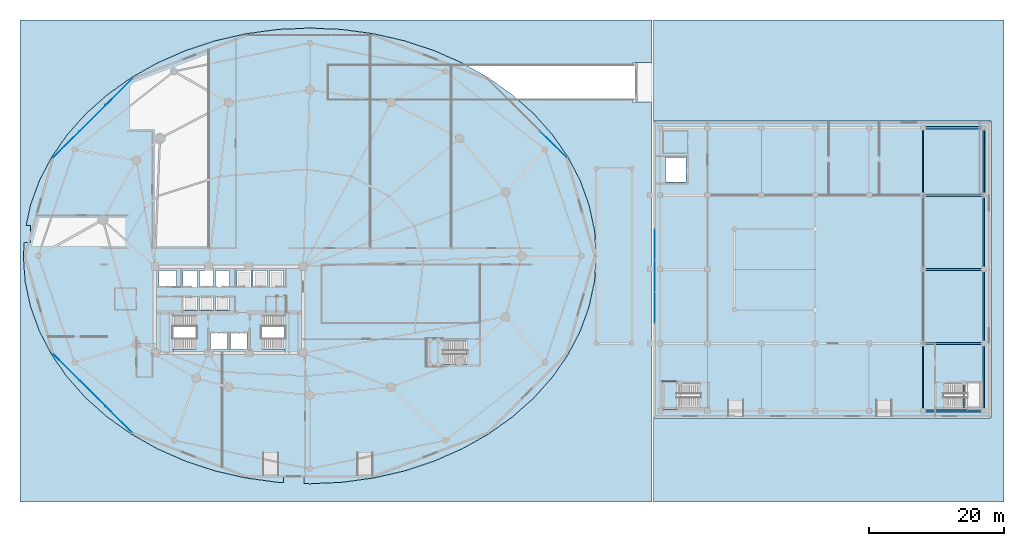
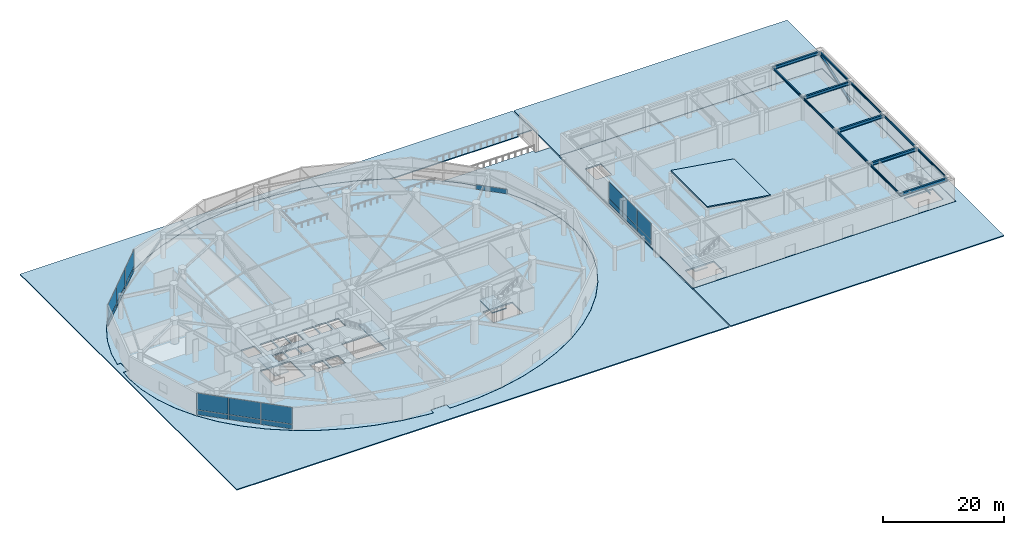
# One storey, part 19 of 35: 19 plates, 14 beams, 9 slabs, 1 member, 8 elements without a shape of their own.
"""IFC4 building model written with IfcOpenShell, lengths in metres."""

from ifc_helpers import new_model, si_unit, direction, frame, origin, origin_2d, place, context, subcontext, project, spatial, polyline, rectangle, hollow_rectangle, i_section, outline, extrude, material, layer, layer_set, material_profile, profile_set, type_object, element, aggregate, save


model = new_model("IFC4")

# Units and contexts
model_context = context("Model", 3, precision=1e-05, world=origin(), true_north=direction((0.0, 1.0)))
body_context = subcontext(model_context, "Body", "Model", "MODEL_VIEW")
ifc_project = project(units=[si_unit("LENGTHUNIT", "METRE"), si_unit("AREAUNIT", "SQUARE_METRE"), si_unit("VOLUMEUNIT", "CUBIC_METRE"), si_unit("PLANEANGLEUNIT", "RADIAN"), si_unit("MASSUNIT", "GRAM", prefix="KILO")], contexts=[model_context])

# Site, building, storey
site_placement = place(None, origin())
site = spatial("IfcSite", under=ifc_project, at=site_placement, CompositionType="ELEMENT")
building_placement = place(site_placement, origin())
building = spatial("IfcBuilding", under=site, at=building_placement, Name="Kazevale Care Tower and Concert Hall", CompositionType="ELEMENT")
storey_placement = place(building_placement, origin())
storey = spatial("IfcBuildingStorey", under=building, at=storey_placement, Name="L00", CompositionType="ELEMENT", Elevation=0.0)

# Beams
ifc_material_1 = material(Name="Steel ASTM A572 Gr 50", Category="steel")
ifc_material_profile_1 = material_profile(ifc_material_1, i_section(OverallWidth=0.323974609375, OverallDepth=0.611083984375, WebThickness=0.0126953125, FlangeThickness=0.01904296875, at=origin_2d()), Name="W610x155")
ifc_profile_set_1 = profile_set([ifc_material_profile_1], Name="Steel ASTM A572 Gr 50")
beam_type_1 = type_object("IfcBeamType", Name="Concert Hall Frame Girder W610x155", PredefinedType="BEAM", material=ifc_profile_set_1)
for number, where, z_axis, x_axis, name in (
    (1, (136.0, 15.0, 4.214599609375), (1.0, 0.0, 0.0), (0.0, 1.0, 0.0), "beam:L00:hx:136_15"),
    (2, (136.0, 25.0, 4.214599609375), (1.0, 0.0, 0.0), (0.0, 1.0, 0.0), "beam:L00:hx:136_25"),
    (3, (136.0, 36.0, 4.214599609375), (1.0, 0.0, 0.0), (0.0, 1.0, 0.0), "beam:L00:hx:136_36"),
    (4, (136.0, 47.0, 4.214599609375), (1.0, 0.0, 0.0), (0.0, 1.0, 0.0), "beam:L00:hx:136_47"),
    (5, (136.0, 57.0, 4.214599609375), (1.0, 0.0, 0.0), (0.0, 1.0, 0.0), "beam:L00:hx:136_57"),
):
    element("IfcBeam", number, at=place(storey_placement, frame(where, z_axis=z_axis, x_axis=x_axis)), inside=storey, type_object=beam_type_1, Name=name, PredefinedType="BEAM", context=body_context, shape_type="SweptSolid", body=[
        extrude(i_section(OverallWidth=0.323974609375, OverallDepth=0.611083984375, WebThickness=0.0126953125, FlangeThickness=0.01904296875, at=origin_2d()), origin(), (0.0, 0.0, 1.0), 9.0),
    ])
ifc_material_profile_2 = material_profile(ifc_material_1, i_section(OverallWidth=0.180908203125, OverallDepth=0.4169921875, WebThickness=0.010986328125, FlangeThickness=0.018310546875, at=origin_2d()), Name="W410x85")
ifc_profile_set_2 = profile_set([ifc_material_profile_2], Name="Steel ASTM A572 Gr 50")
beam_type_2 = type_object("IfcBeamType", Name="Concert Hall Secondary Beam W410x85", PredefinedType="BEAM", material=ifc_profile_set_2)
beam_1_placement = place(storey_placement, frame((136.0, 15.0, 4.3115234375), z_axis=(0.0, 1.0, 0.0), x_axis=(-1.0, 0.0, 0.0)))
element("IfcBeam", 6, at=beam_1_placement, inside=storey, type_object=beam_type_2, Name="beam:L00:hy:136_15", PredefinedType="BEAM", context=body_context, shape_type="SweptSolid", body=[
    extrude(i_section(OverallWidth=0.180908203125, OverallDepth=0.4169921875, WebThickness=0.010986328125, FlangeThickness=0.018310546875, at=origin_2d()), origin(), (0.0, 0.0, 1.0), 10.0),
])
for number, where, z_axis, x_axis, name in (
    (7, (136.0, 25.0, 4.3115234375), (0.0, 1.0, 0.0), (-1.0, 0.0, 0.0), "beam:L00:hy:136_25"),
    (8, (136.0, 36.0, 4.3115234375), (0.0, 1.0, 0.0), (-1.0, 0.0, 0.0), "beam:L00:hy:136_36"),
):
    element("IfcBeam", number, at=place(storey_placement, frame(where, z_axis=z_axis, x_axis=x_axis)), inside=storey, type_object=beam_type_2, Name=name, PredefinedType="BEAM", context=body_context, shape_type="SweptSolid", body=[
        extrude(i_section(OverallWidth=0.180908203125, OverallDepth=0.4169921875, WebThickness=0.010986328125, FlangeThickness=0.018310546875, at=origin_2d()), origin(), (0.0, 0.0, 1.0), 11.0),
    ])
for number, where, z_axis, x_axis, name in (
    (9, (136.0, 47.0, 4.3115234375), (0.0, 1.0, 0.0), (-1.0, 0.0, 0.0), "beam:L00:hy:136_47"),
    (10, (145.0, 15.0, 4.3115234375), (0.0, 1.0, 0.0), (-1.0, 0.0, 0.0), "beam:L00:hy:145_15"),
):
    element("IfcBeam", number, at=place(storey_placement, frame(where, z_axis=z_axis, x_axis=x_axis)), inside=storey, type_object=beam_type_2, Name=name, PredefinedType="BEAM", context=body_context, shape_type="SweptSolid", body=[
        extrude(i_section(OverallWidth=0.180908203125, OverallDepth=0.4169921875, WebThickness=0.010986328125, FlangeThickness=0.018310546875, at=origin_2d()), origin(), (0.0, 0.0, 1.0), 10.0),
    ])
for number, where, z_axis, x_axis, name in (
    (11, (145.0, 25.0, 4.3115234375), (0.0, 1.0, 0.0), (-1.0, 0.0, 0.0), "beam:L00:hy:145_25"),
    (12, (145.0, 36.0, 4.3115234375), (0.0, 1.0, 0.0), (-1.0, 0.0, 0.0), "beam:L00:hy:145_36"),
):
    element("IfcBeam", number, at=place(storey_placement, frame(where, z_axis=z_axis, x_axis=x_axis)), inside=storey, type_object=beam_type_2, Name=name, PredefinedType="BEAM", context=body_context, shape_type="SweptSolid", body=[
        extrude(i_section(OverallWidth=0.180908203125, OverallDepth=0.4169921875, WebThickness=0.010986328125, FlangeThickness=0.018310546875, at=origin_2d()), origin(), (0.0, 0.0, 1.0), 11.0),
    ])
beam_2_placement = place(storey_placement, frame((145.0, 47.0, 4.3115234375), z_axis=(0.0, 1.0, 0.0), x_axis=(-1.0, 0.0, 0.0)))
element("IfcBeam", 13, at=beam_2_placement, inside=storey, type_object=beam_type_2, Name="beam:L00:hy:145_47", PredefinedType="BEAM", context=body_context, shape_type="SweptSolid", body=[
    extrude(i_section(OverallWidth=0.180908203125, OverallDepth=0.4169921875, WebThickness=0.010986328125, FlangeThickness=0.018310546875, at=origin_2d()), origin(), (0.0, 0.0, 1.0), 10.0),
])

# Member
ifc_material_profile_3 = material_profile(ifc_material_1, hollow_rectangle(XDim=0.300048828125, YDim=0.300048828125, WallThickness=0.02001953125, at=origin_2d()), Name="SHS300x300x20")
ifc_profile_set_3 = profile_set([ifc_material_profile_3], Name="Steel ASTM A572 Gr 50")
member_type = type_object("IfcMemberType", Name="Concert Hall Wall Brace SHS300x300x20", PredefinedType="BRACE", material=ifc_profile_set_3)
member_placement = place(storey_placement, frame((145.0, 47.0, 0.39990234375), z_axis=(0.0, 0.940283079424, 0.340393493694), x_axis=(-1.0, 0.0, 0.0)))
element("IfcMember", 14, at=member_placement, inside=storey, type_object=member_type, Name="brace:L00:hwW", PredefinedType="BRACE", context=body_context, shape_type="SweptSolid", body=[
    extrude(hollow_rectangle(XDim=0.300048828125, YDim=0.300048828125, WallThickness=0.02001953125, at=origin_2d()), origin(), (0.0, 0.0, 1.0), 10.635009765625),
])

# Beam
ifc_material_profile_4 = material_profile(ifc_material_1, i_section(OverallWidth=0.202880859375, OverallDepth=0.302978515625, WebThickness=0.007568359375, FlangeThickness=0.01318359375, at=origin_2d()), Name="W310x60")
ifc_profile_set_4 = profile_set([ifc_material_profile_4], Name="Steel ASTM A572 Gr 50")
beam_type_3 = type_object("IfcBeamType", Name="Stair & Balcony Trimmer W310x60", PredefinedType="BEAM", material=ifc_profile_set_4)
beam_3_placement = place(storey_placement, frame((142.050048828125, 15.39990234375, 2.048583984375), z_axis=(0.0, 1.0, 0.0), x_axis=(-1.0, 0.0, 0.0)))
element("IfcBeam", 15, at=beam_3_placement, inside=storey, type_object=beam_type_3, Name="beam:L00:ST5:trim:1", PredefinedType="BEAM", context=body_context, shape_type="SweptSolid", body=[
    extrude(i_section(OverallWidth=0.202880859375, OverallDepth=0.302978515625, WebThickness=0.007568359375, FlangeThickness=0.01318359375, at=origin_2d()), origin(), (0.0, 0.0, 1.0), 3.800048828125),
])

# Curtain wall, plate
ifc_material_2 = material(Name="Aluminium 6063-T6 and Low-E Glass", Category="aluminium")
ifc_layer_1 = layer(ifc_material_2, 0.179931640625)
ifc_layer_set_1 = layer_set([ifc_layer_1], Name="Aluminium 6063-T6 and Low-E Glass")
curtain_wall_type_1 = type_object("IfcCurtainWallType", Name="Podium Double-Skin Medical Curtain Wall CW-1", PredefinedType="NOTDEFINED", material=ifc_layer_set_1)
curtain_wall_1_placement = place(storey_placement, origin())
curtain_wall_1 = element("IfcCurtainWall", 16, at=curtain_wall_1_placement, inside=storey, type_object=curtain_wall_type_1, Name="cw:L00:pod:02", PredefinedType="NOTDEFINED")
ifc_material_3 = material(Name="Low-E Laminated Glass", Category="glass")
ifc_layer_2 = layer(ifc_material_3, 0.030029296875)
ifc_layer_set_2 = layer_set([ifc_layer_2], Name="Low-E Laminated Glass")
plate_type_1 = type_object("IfcPlateType", Name="CW-1 Low-E Glazing Panel 30mm", PredefinedType="CURTAIN_PANEL", material=ifc_layer_set_2)
plate_1_placement = place(storey_placement, frame((81.121826171875, 54.533203125, 0.080078125), z_axis=(0.0, 0.0, 1.0), x_axis=(-0.708554776856, 0.705655814257, 0.0)))
plate_1 = element("IfcPlate", 17, at=plate_1_placement, type_object=plate_type_1, Name="CW-1 panel 1.1", PredefinedType="CURTAIN_PANEL", context=body_context, shape_type="SweptSolid", body=[
    extrude(rectangle(XDim=5.38427734375, YDim=0.030029296875, at=origin_2d()), origin(), (0.0, 0.0, 1.0), 0.929931640625),
])
aggregate(curtain_wall_1, [plate_1])

# Curtain wall, plates
curtain_wall_2_placement = place(storey_placement, origin())
curtain_wall_2 = element("IfcCurtainWall", 18, at=curtain_wall_2_placement, inside=storey, type_object=curtain_wall_type_1, Name="cw:L00:pod:06", PredefinedType="NOTDEFINED")
plate_2_placement = place(storey_placement, frame((16.667724609375, 62.290771484375, 0.080078125), z_axis=(0.0, 0.0, 1.0), x_axis=(-0.708554776856, -0.705655814257, 0.0)))
plate_2 = element("IfcPlate", 19, at=plate_2_placement, type_object=plate_type_1, Name="CW-1 panel 1.1", PredefinedType="CURTAIN_PANEL", context=body_context, shape_type="SweptSolid", body=[
    extrude(rectangle(XDim=5.38427734375, YDim=0.030029296875, at=origin_2d()), origin(), (0.0, 0.0, 1.0), 0.929931640625),
])
plate_3_placement = place(storey_placement, frame((16.667724609375, 62.290771484375, 1.08984375), z_axis=(0.0, 0.0, 1.0), x_axis=(-0.708554776856, -0.705655814257, 0.0)))
plate_3 = element("IfcPlate", 20, at=plate_3_placement, type_object=plate_type_1, Name="CW-1 panel 1.2", PredefinedType="CURTAIN_PANEL", context=body_context, shape_type="SweptSolid", body=[
    extrude(rectangle(XDim=5.38427734375, YDim=0.030029296875, at=origin_2d()), origin(), (0.0, 0.0, 1.0), 3.35009765625),
])
plate_4_placement = place(storey_placement, frame((12.77294921875, 58.412109375, 0.080078125), z_axis=(0.0, 0.0, 1.0), x_axis=(-0.708554776856, -0.705655814257, 0.0)))
plate_4 = element("IfcPlate", 21, at=plate_4_placement, type_object=plate_type_1, Name="CW-1 panel 2.1", PredefinedType="CURTAIN_PANEL", context=body_context, shape_type="SweptSolid", body=[
    extrude(rectangle(XDim=5.42919921875, YDim=0.030029296875, at=origin_2d()), origin(), (0.0, 0.0, 1.0), 0.929931640625),
])
plate_5_placement = place(storey_placement, frame((12.77294921875, 58.412109375, 1.08984375), z_axis=(0.0, 0.0, 1.0), x_axis=(-0.708554776856, -0.705655814257, 0.0)))
plate_5 = element("IfcPlate", 22, at=plate_5_placement, type_object=plate_type_1, Name="CW-1 panel 2.2", PredefinedType="CURTAIN_PANEL", context=body_context, shape_type="SweptSolid", body=[
    extrude(rectangle(XDim=5.42919921875, YDim=0.030029296875, at=origin_2d()), origin(), (0.0, 0.0, 1.0), 3.35009765625),
])
plate_6_placement = place(storey_placement, frame((8.878173828125, 54.533203125, 0.080078125), z_axis=(0.0, 0.0, 1.0), x_axis=(-0.708554776856, -0.705655814257, 0.0)))
plate_6 = element("IfcPlate", 23, at=plate_6_placement, type_object=plate_type_1, Name="CW-1 panel 3.1", PredefinedType="CURTAIN_PANEL", context=body_context, shape_type="SweptSolid", body=[
    extrude(rectangle(XDim=5.38427734375, YDim=0.030029296875, at=origin_2d()), origin(), (0.0, 0.0, 1.0), 0.929931640625),
])
plate_7_placement = place(storey_placement, frame((8.878173828125, 54.533203125, 1.08984375), z_axis=(0.0, 0.0, 1.0), x_axis=(-0.708554776856, -0.705655814257, 0.0)))
plate_7 = element("IfcPlate", 24, at=plate_7_placement, type_object=plate_type_1, Name="CW-1 panel 3.2", PredefinedType="CURTAIN_PANEL", context=body_context, shape_type="SweptSolid", body=[
    extrude(rectangle(XDim=5.38427734375, YDim=0.030029296875, at=origin_2d()), origin(), (0.0, 0.0, 1.0), 3.35009765625),
])
aggregate(curtain_wall_2, [plate_2, plate_3, plate_4, plate_5, plate_6, plate_7])

curtain_wall_3_placement = place(storey_placement, origin())
curtain_wall_3 = element("IfcCurtainWall", 25, at=curtain_wall_3_placement, inside=storey, type_object=curtain_wall_type_1, Name="cw:L00:pod:09", PredefinedType="NOTDEFINED")
plate_8_placement = place(storey_placement, frame((8.878173828125, 21.466796875, 0.080078125), z_axis=(0.0, 0.0, 1.0), x_axis=(0.708554776856, -0.705655814257, 0.0)))
plate_8 = element("IfcPlate", 26, at=plate_8_placement, type_object=plate_type_1, Name="CW-1 panel 1.1", PredefinedType="CURTAIN_PANEL", context=body_context, shape_type="SweptSolid", body=[
    extrude(rectangle(XDim=5.38427734375, YDim=0.030029296875, at=origin_2d()), origin(), (0.0, 0.0, 1.0), 0.929931640625),
])
plate_9_placement = place(storey_placement, frame((8.878173828125, 21.466796875, 1.08984375), z_axis=(0.0, 0.0, 1.0), x_axis=(0.708554776856, -0.705655814257, 0.0)))
plate_9 = element("IfcPlate", 27, at=plate_9_placement, type_object=plate_type_1, Name="CW-1 panel 1.2", PredefinedType="CURTAIN_PANEL", context=body_context, shape_type="SweptSolid", body=[
    extrude(rectangle(XDim=5.38427734375, YDim=0.030029296875, at=origin_2d()), origin(), (0.0, 0.0, 1.0), 3.35009765625),
])
plate_10_placement = place(storey_placement, frame((12.77294921875, 17.587890625, 0.080078125), z_axis=(0.0, 0.0, 1.0), x_axis=(0.708554776856, -0.705655814257, 0.0)))
plate_10 = element("IfcPlate", 28, at=plate_10_placement, type_object=plate_type_1, Name="CW-1 panel 2.1", PredefinedType="CURTAIN_PANEL", context=body_context, shape_type="SweptSolid", body=[
    extrude(rectangle(XDim=5.42919921875, YDim=0.030029296875, at=origin_2d()), origin(), (0.0, 0.0, 1.0), 0.929931640625),
])
plate_11_placement = place(storey_placement, frame((12.77294921875, 17.587890625, 1.08984375), z_axis=(0.0, 0.0, 1.0), x_axis=(0.708554776856, -0.705655814257, 0.0)))
plate_11 = element("IfcPlate", 29, at=plate_11_placement, type_object=plate_type_1, Name="CW-1 panel 2.2", PredefinedType="CURTAIN_PANEL", context=body_context, shape_type="SweptSolid", body=[
    extrude(rectangle(XDim=5.42919921875, YDim=0.030029296875, at=origin_2d()), origin(), (0.0, 0.0, 1.0), 3.35009765625),
])
plate_12_placement = place(storey_placement, frame((16.667724609375, 13.709228515625, 0.080078125), z_axis=(0.0, 0.0, 1.0), x_axis=(0.708554776856, -0.705655814257, 0.0)))
plate_12 = element("IfcPlate", 30, at=plate_12_placement, type_object=plate_type_1, Name="CW-1 panel 3.1", PredefinedType="CURTAIN_PANEL", context=body_context, shape_type="SweptSolid", body=[
    extrude(rectangle(XDim=5.38427734375, YDim=0.030029296875, at=origin_2d()), origin(), (0.0, 0.0, 1.0), 0.929931640625),
])
plate_13_placement = place(storey_placement, frame((16.667724609375, 13.709228515625, 1.08984375), z_axis=(0.0, 0.0, 1.0), x_axis=(0.708554776856, -0.705655814257, 0.0)))
plate_13 = element("IfcPlate", 31, at=plate_13_placement, type_object=plate_type_1, Name="CW-1 panel 3.2", PredefinedType="CURTAIN_PANEL", context=body_context, shape_type="SweptSolid", body=[
    extrude(rectangle(XDim=5.38427734375, YDim=0.030029296875, at=origin_2d()), origin(), (0.0, 0.0, 1.0), 3.35009765625),
])
aggregate(curtain_wall_3, [plate_8, plate_9, plate_10, plate_11, plate_12, plate_13])

ifc_layer_3 = layer(ifc_material_2, 0.179931640625)
ifc_layer_set_3 = layer_set([ifc_layer_3], Name="Aluminium 6063-T6 and Low-E Glass")
curtain_wall_type_2 = type_object("IfcCurtainWallType", Name="Concert Hall Foyer Storefront Curtain Wall CW-6", PredefinedType="NOTDEFINED", material=ifc_layer_set_3)
curtain_wall_4_placement = place(storey_placement, origin())
curtain_wall_4 = element("IfcCurtainWall", 32, at=curtain_wall_4_placement, inside=storey, type_object=curtain_wall_type_2, Name="cw:L00:hall:W2", PredefinedType="NOTDEFINED")
ifc_layer_4 = layer(ifc_material_3, 0.031982421875)
ifc_layer_set_4 = layer_set([ifc_layer_4], Name="Low-E Laminated Glass")
plate_type_2 = type_object("IfcPlateType", Name="CW-6 Low-E Glazing Panel 32mm", PredefinedType="CURTAIN_PANEL", material=ifc_layer_set_4)
plate_14_placement = place(storey_placement, frame((96.199951171875, 39.644287109375, 0.080078125), z_axis=(0.0, 0.0, 1.0), x_axis=(0.0, -1.0, 0.0)))
plate_14 = element("IfcPlate", 33, at=plate_14_placement, type_object=plate_type_2, Name="CW-6 panel 1.1", PredefinedType="CURTAIN_PANEL", context=body_context, shape_type="SweptSolid", body=[
    extrude(rectangle(XDim=4.53173828125, YDim=0.031982421875, at=origin_2d()), origin(), (0.0, 0.0, 1.0), 0.929931640625),
])
plate_15_placement = place(storey_placement, frame((96.199951171875, 39.644287109375, 1.08984375), z_axis=(0.0, 0.0, 1.0), x_axis=(0.0, -1.0, 0.0)))
plate_15 = element("IfcPlate", 34, at=plate_15_placement, type_object=plate_type_2, Name="CW-6 panel 1.2", PredefinedType="CURTAIN_PANEL", context=body_context, shape_type="SweptSolid", body=[
    extrude(rectangle(XDim=4.53173828125, YDim=0.031982421875, at=origin_2d()), origin(), (0.0, 0.0, 1.0), 3.35009765625),
])
plate_16_placement = place(storey_placement, frame((96.199951171875, 35.0, 0.080078125), z_axis=(0.0, 0.0, 1.0), x_axis=(0.0, -1.0, 0.0)))
plate_16 = element("IfcPlate", 35, at=plate_16_placement, type_object=plate_type_2, Name="CW-6 panel 2.1", PredefinedType="CURTAIN_PANEL", context=body_context, shape_type="SweptSolid", body=[
    extrude(rectangle(XDim=4.57666015625, YDim=0.031982421875, at=origin_2d()), origin(), (0.0, 0.0, 1.0), 0.929931640625),
])
plate_17_placement = place(storey_placement, frame((96.199951171875, 35.0, 1.08984375), z_axis=(0.0, 0.0, 1.0), x_axis=(0.0, -1.0, 0.0)))
plate_17 = element("IfcPlate", 36, at=plate_17_placement, type_object=plate_type_2, Name="CW-6 panel 2.2", PredefinedType="CURTAIN_PANEL", context=body_context, shape_type="SweptSolid", body=[
    extrude(rectangle(XDim=4.57666015625, YDim=0.031982421875, at=origin_2d()), origin(), (0.0, 0.0, 1.0), 3.35009765625),
])
plate_18_placement = place(storey_placement, frame((96.199951171875, 30.355712890625, 0.080078125), z_axis=(0.0, 0.0, 1.0), x_axis=(0.0, -1.0, 0.0)))
plate_18 = element("IfcPlate", 37, at=plate_18_placement, type_object=plate_type_2, Name="CW-6 panel 3.1", PredefinedType="CURTAIN_PANEL", context=body_context, shape_type="SweptSolid", body=[
    extrude(rectangle(XDim=4.53173828125, YDim=0.031982421875, at=origin_2d()), origin(), (0.0, 0.0, 1.0), 0.929931640625),
])
plate_19_placement = place(storey_placement, frame((96.199951171875, 30.355712890625, 1.08984375), z_axis=(0.0, 0.0, 1.0), x_axis=(0.0, -1.0, 0.0)))
plate_19 = element("IfcPlate", 38, at=plate_19_placement, type_object=plate_type_2, Name="CW-6 panel 3.2", PredefinedType="CURTAIN_PANEL", context=body_context, shape_type="SweptSolid", body=[
    extrude(rectangle(XDim=4.53173828125, YDim=0.031982421875, at=origin_2d()), origin(), (0.0, 0.0, 1.0), 3.35009765625),
])
aggregate(curtain_wall_4, [plate_14, plate_15, plate_16, plate_17, plate_18, plate_19])

# Slabs
ifc_material_4 = material(Name="Concrete C40", Category="concrete")
ifc_layer_5 = layer(ifc_material_4, 0.280029296875)
ifc_layer_set_5 = layer_set([ifc_layer_5], Name="Concrete C40")
slab_type_1 = type_object("IfcSlabType", Name="Concert Hall Floor Slab 280", PredefinedType="FLOOR", material=ifc_layer_set_5)
slab_1_placement = place(storey_placement, frame((0.0, 0.0, -0.280029296875)))
element("IfcSlab", 39, at=slab_1_placement, inside=storey, type_object=slab_type_1, Name="slab:L00:hall", PredefinedType="FLOOR", context=body_context, shape_type="SweptSolid", body=[
    extrude(outline(polyline([(96.0, 14.0), (146.0, 14.0), (146.0, 58.0), (96.0, 58.0), (96.0, 14.0)]), holes=[polyline([(97.449951171875, 15.550048828125), (102.909912109375, 15.550048828125), (102.909912109375, 19.050048828125), (97.449951171875, 19.050048828125), (97.449951171875, 15.550048828125)]), polyline([(139.090087890625, 15.550048828125), (144.550048828125, 15.550048828125), (144.550048828125, 19.050048828125), (139.090087890625, 19.050048828125), (139.090087890625, 15.550048828125)]), polyline([(97.800048828125, 49.0), (100.800048828125, 49.0), (100.800048828125, 52.60009765625), (97.800048828125, 52.60009765625), (97.800048828125, 49.0)])]), origin(), (0.0, 0.0, 1.0), 0.280029296875),
])
ifc_layer_6 = layer(ifc_material_4, 0.280029296875)
ifc_layer_set_6 = layer_set([ifc_layer_6], Name="Concrete C40")
slab_type_2 = type_object("IfcSlabType", Name="Podium Clinic Floor Slab 280", PredefinedType="FLOOR", material=ifc_layer_set_6)
slab_2_placement = place(storey_placement, frame((0.0, 0.0, -0.280029296875)))
element("IfcSlab", 40, at=slab_2_placement, inside=storey, type_object=slab_type_2, Name="slab:L00:tw:1", PredefinedType="FLOOR", context=body_context, shape_type="SweptSolid", body=[
    extrude(outline(polyline([(3.56591796875, 45.52099609375), (4.885009765625, 49.1630859375), (6.708984375, 52.6650390625), (9.013916015625, 55.98291015625), (11.77197265625, 59.073974609375), (14.947998046875, 61.89990234375), (18.501953125, 64.426025390625), (22.388916015625, 66.618896484375), (26.56005859375, 68.452880859375), (30.962890625, 69.903076171875), (35.54296875, 70.952880859375), (40.241943359375, 71.587890625), (45.0, 71.800048828125), (49.758056640625, 71.587890625), (54.45703125, 70.952880859375), (59.037109375, 69.903076171875), (63.43994140625, 68.452880859375), (67.611083984375, 66.618896484375), (71.498046875, 64.426025390625), (75.052001953125, 61.89990234375), (78.22802734375, 59.073974609375), (80.986083984375, 55.98291015625), (83.291015625, 52.6650390625), (85.114990234375, 49.1630859375), (86.43408203125, 45.52099609375), (87.23291015625, 41.783935546875), (87.5, 38.0), (87.23291015625, 34.216064453125), (86.43408203125, 30.47900390625), (85.114990234375, 26.8369140625), (83.291015625, 23.3349609375), (80.986083984375, 20.01708984375), (78.22802734375, 16.926025390625), (75.052001953125, 14.10009765625), (71.498046875, 11.573974609375), (67.611083984375, 9.381103515625), (63.43994140625, 7.547119140625), (59.037109375, 6.096923828125), (54.45703125, 5.047119140625), (49.758056640625, 4.412109375), (45.0, 4.199951171875), (44.1201171875, 4.239013671875), (44.1201171875, 5.340087890625), (41.080078125, 5.340087890625), (41.080078125, 4.375), (40.241943359375, 4.412109375), (35.54296875, 5.047119140625), (30.962890625, 6.096923828125), (26.56005859375, 7.547119140625), (22.388916015625, 9.381103515625), (18.501953125, 11.573974609375), (14.947998046875, 14.10009765625), (11.77197265625, 16.926025390625), (9.013916015625, 20.01708984375), (6.708984375, 23.3349609375), (4.885009765625, 26.8369140625), (3.56591796875, 30.47900390625), (2.76708984375, 34.216064453125), (2.5, 38.0), (2.639892578125, 39.97998046875), (3.570068359375, 39.97998046875), (3.570068359375, 42.52001953125), (2.924072265625, 42.52001953125), (3.56591796875, 45.52099609375)]), holes=[polyline([(22.449951171875, 24.14990234375), (28.110107421875, 24.14990234375), (28.110107421875, 29.14990234375), (22.449951171875, 29.14990234375), (22.449951171875, 24.14990234375)]), polyline([(37.889892578125, 24.14990234375), (43.550048828125, 24.14990234375), (43.550048828125, 29.14990234375), (37.889892578125, 29.14990234375), (37.889892578125, 24.14990234375)]), polyline([(30.300048828125, 24.10009765625), (32.800048828125, 24.10009765625), (32.800048828125, 26.60009765625), (30.300048828125, 26.60009765625), (30.300048828125, 24.10009765625)]), polyline([(33.199951171875, 24.10009765625), (35.699951171875, 24.10009765625), (35.699951171875, 26.60009765625), (33.199951171875, 26.60009765625), (33.199951171875, 24.10009765625)]), polyline([(22.60009765625, 33.39990234375), (25.199951171875, 33.39990234375), (25.199951171875, 35.800048828125), (22.60009765625, 35.800048828125), (22.60009765625, 33.39990234375)]), polyline([(26.199951171875, 33.39990234375), (28.300048828125, 33.39990234375), (28.300048828125, 35.800048828125), (26.199951171875, 35.800048828125), (26.199951171875, 33.39990234375)]), polyline([(28.60009765625, 33.39990234375), (30.699951171875, 33.39990234375), (30.699951171875, 35.800048828125), (28.60009765625, 35.800048828125), (28.60009765625, 33.39990234375)]), polyline([(31.0, 33.39990234375), (33.10009765625, 33.39990234375), (33.10009765625, 35.800048828125), (31.0, 35.800048828125), (31.0, 33.39990234375)]), polyline([(34.199951171875, 33.39990234375), (36.300048828125, 33.39990234375), (36.300048828125, 35.800048828125), (34.199951171875, 35.800048828125), (34.199951171875, 33.39990234375)]), polyline([(36.60009765625, 33.39990234375), (38.699951171875, 33.39990234375), (38.699951171875, 35.800048828125), (36.60009765625, 35.800048828125), (36.60009765625, 33.39990234375)]), polyline([(39.0, 33.39990234375), (41.10009765625, 33.39990234375), (41.10009765625, 35.800048828125), (39.0, 35.800048828125), (39.0, 33.39990234375)]), polyline([(26.199951171875, 29.949951171875), (28.300048828125, 29.949951171875), (28.300048828125, 31.949951171875), (26.199951171875, 31.949951171875), (26.199951171875, 29.949951171875)]), polyline([(28.60009765625, 29.949951171875), (30.699951171875, 29.949951171875), (30.699951171875, 31.949951171875), (28.60009765625, 31.949951171875), (28.60009765625, 29.949951171875)]), polyline([(31.0, 29.949951171875), (33.10009765625, 29.949951171875), (33.10009765625, 31.949951171875), (31.0, 31.949951171875), (31.0, 29.949951171875)]), polyline([(62.60009765625, 21.949951171875), (68.260009765625, 21.949951171875), (68.260009765625, 25.449951171875), (62.60009765625, 25.449951171875), (62.60009765625, 21.949951171875)])]), origin(), (0.0, 0.0, 1.0), 0.280029296875),
])

# Stair, slab
stair_type_1 = type_object("IfcStairType", Name="Exit Stair Assembly ST1-P", PredefinedType="HALF_TURN_STAIR", material=ifc_material_4)
stair_1_placement = place(storey_placement, origin())
stair_1 = element("IfcStair", 41, at=stair_1_placement, inside=storey, type_object=stair_type_1, Name="stair:L00:ST1", PredefinedType="HALF_TURN_STAIR")
ifc_layer_7 = layer(ifc_material_4, 0.199951171875)
ifc_layer_set_7 = layer_set([ifc_layer_7], Name="Concrete C40")
slab_type_3 = type_object("IfcSlabType", Name="Stair Half-Landing Slab ST1-P", PredefinedType="LANDING", material=ifc_layer_set_7)
slab_3_placement = place(storey_placement, frame((0.0, 0.0, 2.199951171875)))
slab_3 = element("IfcSlab", 42, at=slab_3_placement, type_object=slab_type_3, Name="ST1-P landing 1", PredefinedType="LANDING", context=body_context, shape_type="SweptSolid", body=[
    extrude(outline(polyline([(22.050048828125, 23.699951171875), (24.68994140625, 23.699951171875), (24.68994140625, 29.5), (22.050048828125, 29.5), (22.050048828125, 23.699951171875)])), origin(), (0.0, 0.0, 1.0), 0.199951171875),
])
aggregate(stair_1, [slab_3])

stair_2_placement = place(storey_placement, origin())
stair_2 = element("IfcStair", 43, at=stair_2_placement, inside=storey, type_object=stair_type_1, Name="stair:L00:ST2", PredefinedType="HALF_TURN_STAIR")
slab_4_placement = place(storey_placement, frame((0.0, 0.0, 2.199951171875)))
slab_4 = element("IfcSlab", 44, at=slab_4_placement, type_object=slab_type_3, Name="ST1-P landing 1", PredefinedType="LANDING", context=body_context, shape_type="SweptSolid", body=[
    extrude(outline(polyline([(41.31005859375, 23.699951171875), (43.949951171875, 23.699951171875), (43.949951171875, 29.5), (41.31005859375, 29.5), (41.31005859375, 23.699951171875)])), origin(), (0.0, 0.0, 1.0), 0.199951171875),
])
aggregate(stair_2, [slab_4])

stair_type_2 = type_object("IfcStairType", Name="Exit Stair Assembly ST3-P", PredefinedType="HALF_TURN_STAIR", material=ifc_material_4)
stair_3_placement = place(storey_placement, origin())
stair_3 = element("IfcStair", 45, at=stair_3_placement, inside=storey, type_object=stair_type_2, Name="stair:L00:ST3", PredefinedType="HALF_TURN_STAIR")
ifc_layer_8 = layer(ifc_material_4, 0.199951171875)
ifc_layer_set_8 = layer_set([ifc_layer_8], Name="Concrete C40")
slab_type_4 = type_object("IfcSlabType", Name="Stair Half-Landing Slab ST3-P", PredefinedType="LANDING", material=ifc_layer_set_8)
slab_5_placement = place(storey_placement, frame((0.0, 0.0, 2.199951171875)))
slab_5 = element("IfcSlab", 46, at=slab_5_placement, type_object=slab_type_4, Name="ST3-P landing 1", PredefinedType="LANDING", context=body_context, shape_type="SweptSolid", body=[
    extrude(outline(polyline([(62.199951171875, 21.5), (64.840087890625, 21.5), (64.840087890625, 25.800048828125), (62.199951171875, 25.800048828125), (62.199951171875, 21.5)])), origin(), (0.0, 0.0, 1.0), 0.199951171875),
])
aggregate(stair_3, [slab_5])

stair_type_3 = type_object("IfcStairType", Name="Exit Stair Assembly ST4-H", PredefinedType="HALF_TURN_STAIR", material=ifc_material_4)
stair_4_placement = place(storey_placement, origin())
stair_4 = element("IfcStair", 47, at=stair_4_placement, inside=storey, type_object=stair_type_3, Name="stair:L00:ST4", PredefinedType="HALF_TURN_STAIR")
ifc_layer_9 = layer(ifc_material_4, 0.199951171875)
ifc_layer_set_9 = layer_set([ifc_layer_9], Name="Concrete C40")
slab_type_5 = type_object("IfcSlabType", Name="Stair Half-Landing Slab ST4-H", PredefinedType="LANDING", material=ifc_layer_set_9)
slab_6_placement = place(storey_placement, frame((0.0, 0.0, 2.199951171875)))
slab_6 = element("IfcSlab", 48, at=slab_6_placement, type_object=slab_type_5, Name="ST4-H landing 1", PredefinedType="LANDING", context=body_context, shape_type="SweptSolid", body=[
    extrude(outline(polyline([(97.050048828125, 15.10009765625), (99.489990234375, 15.10009765625), (99.489990234375, 19.39990234375), (97.050048828125, 19.39990234375), (97.050048828125, 15.10009765625)])), origin(), (0.0, 0.0, 1.0), 0.199951171875),
])
aggregate(stair_4, [slab_6])

# Slabs
ifc_layer_10 = layer(ifc_material_4, 0.199951171875)
ifc_layer_set_10 = layer_set([ifc_layer_10], Name="Concrete C40")
slab_type_6 = type_object("IfcSlabType", Name="Street Entrance Paving Apron 200", PredefinedType="USERDEFINED", material=ifc_layer_set_10)
slab_7_placement = place(storey_placement, frame((0.0, 0.0, -0.199951171875)))
element("IfcSlab", 49, at=slab_7_placement, inside=storey, type_object=slab_type_6, Name="slab:L00:paving_south", ObjectType="PAVING", PredefinedType="USERDEFINED", context=body_context, shape_type="SweptSolid", body=[
    extrude(outline(polyline([(148.0, 73.0), (148.0, 1.5), (96.0, 1.5), (96.0, 13.9599609375), (146.0400390625, 13.9599609375), (146.0400390625, 58.0400390625), (96.0, 58.0400390625), (96.0, 73.0), (148.0, 73.0)])), origin(), (0.0, 0.0, 1.0), 0.199951171875),
])
slab_8_placement = place(storey_placement, frame((0.0, 0.0, -0.199951171875)))
element("IfcSlab", 50, at=slab_8_placement, inside=storey, type_object=slab_type_6, Name="slab:L00:paving:2", ObjectType="PAVING", PredefinedType="USERDEFINED", context=body_context, shape_type="SweptSolid", body=[
    extrude(outline(polyline([(2.0, 1.5), (2.0, 73.0), (95.780029296875, 73.0), (95.780029296875, 66.719970703125), (92.97998046875, 66.719970703125), (92.97998046875, 66.199951171875), (68.385009765625, 66.199951171875), (67.617919921875, 66.633056640625), (63.445068359375, 68.467041015625), (59.041015625, 69.91796875), (54.4599609375, 70.967041015625), (49.760009765625, 71.60205078125), (45.0, 71.81494140625), (40.239990234375, 71.60205078125), (35.5400390625, 70.967041015625), (30.958984375, 69.91796875), (26.554931640625, 68.467041015625), (22.382080078125, 66.633056640625), (18.493896484375, 64.43896484375), (14.93896484375, 61.912109375), (11.761962890625, 59.0849609375), (9.001953125, 55.991943359375), (6.696044921875, 52.673095703125), (4.87109375, 49.1689453125), (3.551025390625, 45.52490234375), (2.902099609375, 42.485107421875), (3.534912109375, 42.485107421875), (3.534912109375, 40.014892578125), (2.626953125, 40.014892578125), (2.485107421875, 38.0), (2.751953125, 34.212890625), (3.551025390625, 30.47509765625), (4.87109375, 26.8310546875), (6.696044921875, 23.326904296875), (9.001953125, 20.008056640625), (11.761962890625, 16.9150390625), (14.93896484375, 14.087890625), (18.493896484375, 11.56103515625), (22.382080078125, 9.366943359375), (26.554931640625, 7.532958984375), (30.958984375, 6.08203125), (35.5400390625, 5.032958984375), (40.239990234375, 4.39794921875), (41.114990234375, 4.35791015625), (41.114990234375, 5.304931640625), (44.0849609375, 5.304931640625), (44.0849609375, 4.22607421875), (45.0, 4.18505859375), (49.760009765625, 4.39794921875), (54.4599609375, 5.032958984375), (59.041015625, 6.08203125), (63.445068359375, 7.532958984375), (67.617919921875, 9.366943359375), (71.506103515625, 11.56103515625), (75.06103515625, 14.087890625), (78.238037109375, 16.9150390625), (80.998046875, 20.008056640625), (83.303955078125, 23.326904296875), (85.12890625, 26.8310546875), (86.448974609375, 30.47509765625), (87.248046875, 34.212890625), (87.514892578125, 38.0), (87.248046875, 41.787109375), (86.448974609375, 45.52490234375), (85.12890625, 49.1689453125), (83.303955078125, 52.673095703125), (80.998046875, 55.991943359375), (78.238037109375, 59.0849609375), (75.7490234375, 61.300048828125), (92.97998046875, 61.300048828125), (92.97998046875, 60.780029296875), (95.780029296875, 60.780029296875), (95.780029296875, 1.5), (2.0, 1.5)])), origin(), (0.0, 0.0, 1.0), 0.199951171875),
])
ifc_layer_11 = layer(ifc_material_4, 0.219970703125)
ifc_layer_set_11 = layer_set([ifc_layer_11], Name="Concrete C40")
slab_type_7 = type_object("IfcSlabType", Name="Symphony Raked Seating Tier 220", PredefinedType="USERDEFINED", material=ifc_layer_set_11)
slab_9_placement = place(storey_placement, frame((108.0, 30.0, 2.550048828125), z_axis=(0.153984401746, 0.0, 0.988073278669), x_axis=(0.988073278669, 0.0, -0.153984401746)))
element("IfcSlab", 51, at=slab_9_placement, inside=storey, type_object=slab_type_7, Name="slab:L00:symphony_rake", ObjectType="SEATING_TIER", PredefinedType="USERDEFINED", context=body_context, shape_type="SweptSolid", body=[
    extrude(outline(polyline([(0.0, 0.0), (12.144775390625, 0.0), (12.144775390625, 12.0), (0.0, 12.0), (0.0, 0.0)])), origin(), (0.0, 0.0, -1.0), 0.219970703125),
])

save(model, "model.ifc")
